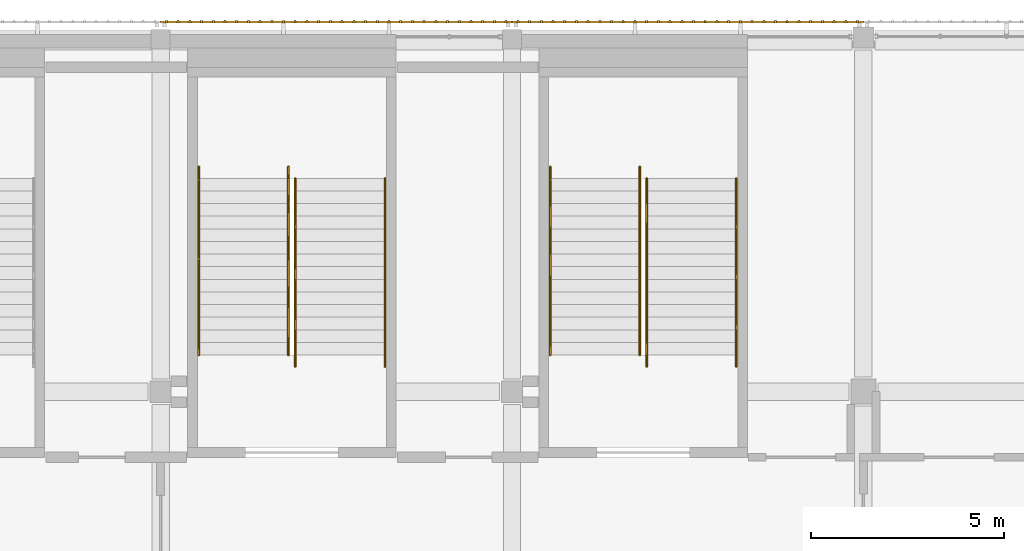
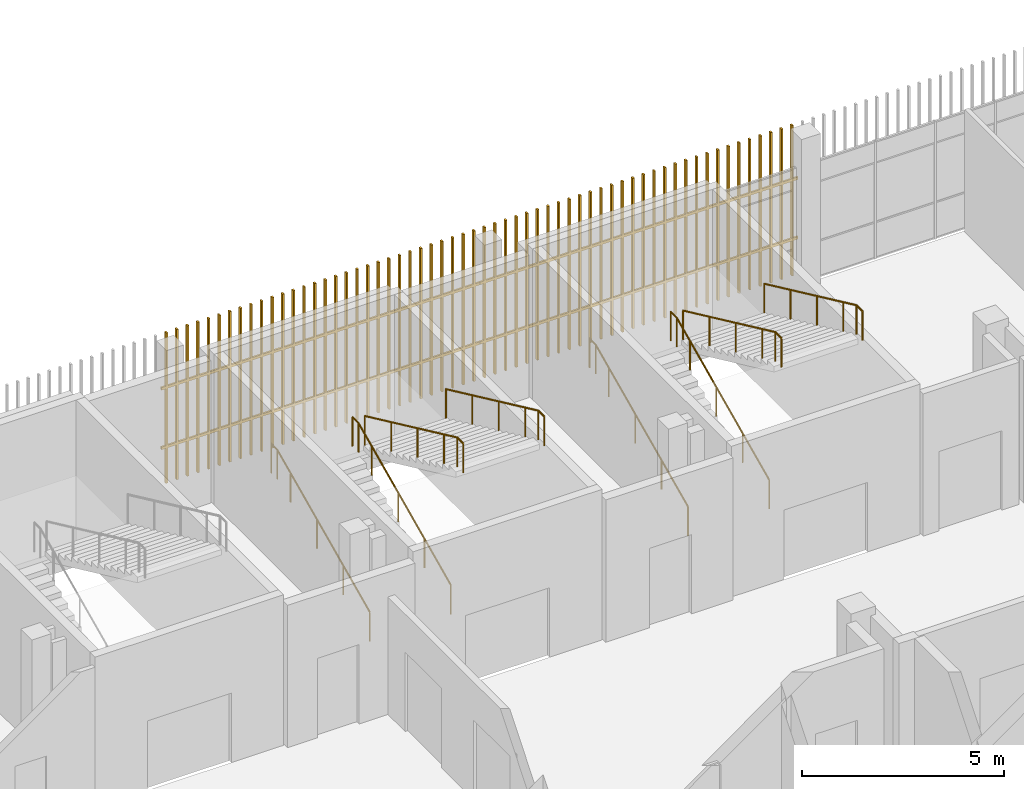
# One storey, part 125 of 139: 8 railings, 2 shading devices.
"""IFC4 building model written with IfcOpenShell, lengths in metres."""

import ifcopenshell
import ifcopenshell.guid

model = None  # the IFC model being written
_history = None  # IfcOwnerHistory: only IFC2X3 demands one
_inside = {}  # id of a spatial element -> (the spatial element, [elements in it])
_under = {}  # id of a project, library or spatial element -> (it, [spatial elements below it])
_declared = {}  # id of a project -> (the project, [libraries it declares])
_typed = {}  # id of a type object -> (the type object, [elements of that type])
_made_of = {}  # id of a material, layer set ... -> (it, [elements and type objects made of it])


def new_model(schema):
    """Start an empty IFC model of exactly this schema.

    Asked for "IFC4X3", IfcOpenShell would pick the latest addendum, in which some entities
    have other attributes; the version numbers below select the first issue.
    IFC2X3 requires an IfcOwnerHistory on every rooted entity: one is made here for all.
    """
    global model, _history
    if schema == "IFC4X3":
        model = ifcopenshell.file(schema_version=(4, 3, 0, 0))
    else:
        model = ifcopenshell.file(schema=schema)
    _inside.clear()
    _under.clear()
    _declared.clear()
    _typed.clear()
    _made_of.clear()
    _history = None
    if model.schema == "IFC2X3":
        org = make("IfcOrganization", Name="unknown")
        user = make(
            "IfcPersonAndOrganization",
            ThePerson=make("IfcPerson", FamilyName="unknown"),
            TheOrganization=org,
        )
        app = make(
            "IfcApplication",
            ApplicationDeveloper=org,
            Version="unknown",
            ApplicationFullName="unknown",
            ApplicationIdentifier="unknown",
        )
        _history = make(
            "IfcOwnerHistory",
            OwningUser=user,
            OwningApplication=app,
            ChangeAction="ADDED",
            CreationDate=0,
        )
    return model


def make(cls, **values):
    """One entity of the class cls with the attributes given. An attribute that is None is left unset."""
    return model.create_entity(
        cls, **{name: value for name, value in values.items() if value is not None}
    )


def rooted(cls, **values):
    """An entity with a GlobalId (a new one), such as an element, a storey or a relation."""
    return make(cls, GlobalId=ifcopenshell.guid.new(), OwnerHistory=_history, **values)


def si_unit(unit_type, name, prefix=None):
    """IfcSIUnit, for example si_unit("LENGTHUNIT", "METRE", prefix="MILLI")."""
    return make("IfcSIUnit", UnitType=unit_type, Prefix=prefix, Name=name)


def assignment(units):
    """IfcUnitAssignment: the units of a project."""
    return None if units is None else make("IfcUnitAssignment", Units=units)


def point(xyz):
    """IfcCartesianPoint."""
    return None if xyz is None else make("IfcCartesianPoint", Coordinates=xyz)


def direction(xyz):
    """IfcDirection."""
    return None if xyz is None else make("IfcDirection", DirectionRatios=xyz)


def frame(location, z_axis=None, x_axis=None):
    """IfcAxis2Placement3D, a coordinate frame: its origin and axes. An axis left out is left unset."""
    return make(
        "IfcAxis2Placement3D",
        Location=point(location),
        Axis=direction(z_axis),
        RefDirection=direction(x_axis),
    )


def frame_2d(location, x_axis=None):
    """IfcAxis2Placement2D, a coordinate frame in the plane: its origin and x axis."""
    return make(
        "IfcAxis2Placement2D", Location=point(location), RefDirection=direction(x_axis)
    )


def origin():
    """The frame at (0, 0, 0) with its axes left unset."""
    return frame((0.0, 0.0, 0.0))


def origin_2d():
    """The frame at (0, 0) in the plane with its x axis left unset."""
    return frame_2d((0.0, 0.0))


def place(relative_to, where):
    """IfcLocalPlacement: puts the frame where relative to a parent placement (None: the world)."""
    return make(
        "IfcLocalPlacement", PlacementRelTo=relative_to, RelativePlacement=where
    )


def context(
    kind, dimensions, precision=None, world=None, true_north=None, identifier=None
):
    """IfcGeometricRepresentationContext, for example the 3D "Model" context."""
    return make(
        "IfcGeometricRepresentationContext",
        ContextIdentifier=identifier,
        ContextType=kind,
        CoordinateSpaceDimension=dimensions,
        Precision=precision,
        WorldCoordinateSystem=world,
        TrueNorth=true_north,
    )


def subcontext(parent, identifier, kind, view, scale=None):
    """IfcGeometricRepresentationSubContext, for example "Body" below "Model"."""
    return make(
        "IfcGeometricRepresentationSubContext",
        ContextIdentifier=identifier,
        ContextType=kind,
        ParentContext=parent,
        TargetScale=scale,
        TargetView=view,
    )


def project(units=None, contexts=None):
    """IfcProject with its units and contexts."""
    return rooted(
        "IfcProject",
        Name="project",
        RepresentationContexts=contexts,
        UnitsInContext=assignment(units),
    )


def spatial(cls, under=None, at=None, **own):
    """A site, building, storey or space (cls), placed at a placement, below another one or the project."""
    s = rooted(cls, ObjectPlacement=at, **own)
    if under is not None:
        _under.setdefault(under.id(), (under, []))[1].append(s)
    return s


def profile(cls, at=None, kind="AREA", **sizes):
    """A parametric profile (cls). Its sizes go by their IFC names, for example OverallWidth=200.0."""
    return make(cls, ProfileType=kind, Position=at, **sizes)


def rectangle(**sizes):
    """IfcRectangleProfileDef."""
    return profile("IfcRectangleProfileDef", **sizes)


def circle(**sizes):
    """IfcCircleProfileDef."""
    return profile("IfcCircleProfileDef", **sizes)


def extrude(swept, where, along, depth):
    """IfcExtrudedAreaSolid: the profile swept, set in the frame where, extruded along a direction by depth."""
    return make(
        "IfcExtrudedAreaSolid",
        SweptArea=swept,
        Position=where,
        ExtrudedDirection=direction(along),
        Depth=depth,
    )


def shape(context_of_items, identifier, shape_type, items):
    """IfcShapeRepresentation: the items that make up one representation, for example the "Body"."""
    return make(
        "IfcShapeRepresentation",
        ContextOfItems=context_of_items,
        RepresentationIdentifier=identifier,
        RepresentationType=shape_type,
        Items=items,
    )


def material(Name=None, Category=None):
    """IfcMaterial."""
    return make("IfcMaterial", Name=Name, Category=Category)


def made_of(thing, what):
    """Note that an element or type object is made of a material, layer set ...; save() writes the relation."""
    if what is not None:
        _made_of.setdefault(what.id(), (what, []))[1].append(thing)
    return thing


def type_object(cls, material=None, **own):
    """A type object (cls), such as IfcWallType, which elements share."""
    return made_of(rooted(cls, **own), material)


def element(
    cls,
    number,
    at=None,
    inside=None,
    cuts=None,
    type_object=None,
    material=None,
    context=None,
    identifier="Body",
    shape_type=None,
    held_by="IfcProductDefinitionShape",
    body=None,
    shapes=None,
    **own,
):
    """One element of the class cls, such as IfcWall. Its Tag is "e" and its number.

    at: its placement. inside: the storey or other place that contains it. cuts: it is an
    opening in that element (IfcRelVoidsElement). A single representation is given by context,
    identifier, shape_type and body (its items); several are given by shapes. held_by: the class
    of the entity that holds the representations. save() writes the other relations.
    """
    e = rooted(cls, Tag="e%d" % number, ObjectPlacement=at, **own)
    if body is not None:
        shapes = [shape(context, identifier, shape_type, body)]
    if shapes is not None:
        e.Representation = make(held_by, Representations=shapes)
    if inside is not None:
        _inside.setdefault(inside.id(), (inside, []))[1].append(e)
    if cuts is not None:
        rooted(
            "IfcRelVoidsElement", RelatingBuildingElement=cuts, RelatedOpeningElement=e
        )
    if type_object is not None:
        _typed.setdefault(type_object.id(), (type_object, []))[1].append(e)
    return made_of(e, material)


def aggregate(whole, parts):
    """IfcRelAggregates: a whole, such as a stair, and the parts it consists of."""
    return rooted("IfcRelAggregates", RelatingObject=whole, RelatedObjects=parts)


def save(model, path):
    """Write the relations noted so far, then the file.

    IfcRelAggregates (storeys below a building ...), IfcRelContainedInSpatialStructure (elements
    in a storey), IfcRelDefinesByType, IfcRelAssociatesMaterial and IfcRelDeclares: one each for
    every whole, place, type object, material and project.
    """
    for whole, parts in _under.values():
        aggregate(whole, parts)
    for where, things in _inside.values():
        rooted(
            "IfcRelContainedInSpatialStructure",
            RelatedElements=things,
            RelatingStructure=where,
        )
    for kind, things in _typed.values():
        rooted("IfcRelDefinesByType", RelatedObjects=things, RelatingType=kind)
    for what, things in _made_of.values():
        rooted("IfcRelAssociatesMaterial", RelatedObjects=things, RelatingMaterial=what)
    for by, libraries in _declared.values():
        rooted("IfcRelDeclares", RelatingContext=by, RelatedDefinitions=libraries)
    model.write(path)


model = new_model("IFC4")

# Units and contexts
model_context = context("Model", 3, precision=1e-05, world=origin(), true_north=direction((0.0, 1.0)))
body_context = subcontext(model_context, "Body", "Model", "MODEL_VIEW")
ifc_project = project(units=[si_unit("LENGTHUNIT", "METRE"), si_unit("AREAUNIT", "SQUARE_METRE"), si_unit("VOLUMEUNIT", "CUBIC_METRE"), si_unit("PLANEANGLEUNIT", "RADIAN"), si_unit("MASSUNIT", "GRAM", prefix="KILO")], contexts=[model_context])

# Site, building, storey
site_placement = place(None, origin())
site = spatial("IfcSite", under=ifc_project, at=site_placement, CompositionType="ELEMENT")
building_placement = place(site_placement, origin())
building = spatial("IfcBuilding", under=site, at=building_placement, Name="Shirokan Park Arena", CompositionType="ELEMENT")
storey_placement = place(building_placement, frame((0.0, 0.0, 15.469970703125)))
storey = spatial("IfcBuildingStorey", under=building, at=storey_placement, Name="L03", CompositionType="ELEMENT", Elevation=15.469970703125)

# Railings
ifc_material_1 = material(Name="Stainless steel", Category="steel")
railing_type = type_object("IfcRailingType", Name="Stair handrail 900", PredefinedType="HANDRAIL", material=ifc_material_1)
railing_1_placement = place(storey_placement, frame((19.18994140625, 101.050048828125, 0.151611328125)))
element("IfcRailing", 1, at=railing_1_placement, inside=storey, type_object=railing_type, Name="Handrail Exit Stair 4.C L03 to L04", PredefinedType="HANDRAIL", context=body_context, shape_type="SweptSolid", body=[
    extrude(circle(Radius=0.02392578125, at=origin_2d()), frame((0.0, 0.0, 0.8759765625), z_axis=(0.0, 0.906999720516, 0.421131222998), x_axis=(-1.0, 0.0, 0.0)), (0.0, 0.0, 1.0), 1.440673828125),
    extrude(circle(Radius=0.02392578125, at=origin_2d()), frame((0.0, 1.306640625, 1.482421875), z_axis=(0.0, 0.907029769225, 0.421066500378), x_axis=(-1.0, 0.0, 0.0)), (0.0, 0.0, 1.0), 1.44091796875),
    extrude(circle(Radius=0.02392578125, at=origin_2d()), frame((0.0, 2.613525390625, 2.08935546875), z_axis=(0.0, 0.907029769225, 0.421066500378), x_axis=(-1.0, 0.0, 0.0)), (0.0, 0.0, 1.0), 1.44091796875),
    extrude(circle(Radius=0.02392578125, at=origin_2d()), frame((0.0, 3.92041015625, 2.69580078125), z_axis=(0.0, 0.906934982928, 0.421270621741), x_axis=(-1.0, 0.0, 0.0)), (0.0, 0.0, 1.0), 0.720458984375),
    extrude(circle(Radius=0.02392578125, at=origin_2d()), frame((0.0, 4.57373046875, 2.99951171875), z_axis=(0.0, 1.0, 0.0), x_axis=(-1.0, 0.0, 0.0)), (0.0, 0.0, 1.0), 0.300048828125),
    extrude(circle(Radius=0.02099609375, at=origin_2d()), origin(), (0.0, 0.0, 1.0), 0.851806640625),
    extrude(circle(Radius=0.02099609375, at=origin_2d()), frame((0.0, 1.306640625, 0.606689453125)), (0.0, 0.0, 1.0), 0.851806640625),
    extrude(circle(Radius=0.02099609375, at=origin_2d()), frame((0.0, 2.613525390625, 1.21337890625)), (0.0, 0.0, 1.0), 0.851806640625),
    extrude(circle(Radius=0.02099609375, at=origin_2d()), frame((0.0, 3.92041015625, 1.820068359375)), (0.0, 0.0, 1.0), 0.851806640625),
    extrude(circle(Radius=0.02099609375, at=origin_2d()), frame((0.0, 4.57373046875, 2.12353515625)), (0.0, 0.0, 1.0), 0.851806640625),
    extrude(circle(Radius=0.02099609375, at=origin_2d()), frame((0.0, 4.873779296875, 2.12353515625)), (0.0, 0.0, 1.0), 0.851806640625),
])
railing_2_placement = place(storey_placement, frame((21.510009765625, 101.050048828125, 0.151611328125)))
element("IfcRailing", 2, at=railing_2_placement, inside=storey, type_object=railing_type, Name="Handrail Exit Stair 4.C L03 to L04", PredefinedType="HANDRAIL", context=body_context, shape_type="SweptSolid", body=[
    extrude(circle(Radius=0.02392578125, at=origin_2d()), frame((0.0, 0.0, 0.8759765625), z_axis=(0.0, 0.906999720516, 0.421131222998), x_axis=(-1.0, 0.0, 0.0)), (0.0, 0.0, 1.0), 1.440673828125),
    extrude(circle(Radius=0.02392578125, at=origin_2d()), frame((0.0, 1.306640625, 1.482421875), z_axis=(0.0, 0.907029769225, 0.421066500378), x_axis=(-1.0, 0.0, 0.0)), (0.0, 0.0, 1.0), 1.44091796875),
    extrude(circle(Radius=0.02392578125, at=origin_2d()), frame((0.0, 2.613525390625, 2.08935546875), z_axis=(0.0, 0.907029769225, 0.421066500378), x_axis=(-1.0, 0.0, 0.0)), (0.0, 0.0, 1.0), 1.44091796875),
    extrude(circle(Radius=0.02392578125, at=origin_2d()), frame((0.0, 3.92041015625, 2.69580078125), z_axis=(0.0, 0.906934982928, 0.421270621741), x_axis=(-1.0, 0.0, 0.0)), (0.0, 0.0, 1.0), 0.720458984375),
    extrude(circle(Radius=0.02392578125, at=origin_2d()), frame((0.0, 4.57373046875, 2.99951171875), z_axis=(0.0, 1.0, 0.0), x_axis=(-1.0, 0.0, 0.0)), (0.0, 0.0, 1.0), 0.300048828125),
    extrude(circle(Radius=0.02099609375, at=origin_2d()), origin(), (0.0, 0.0, 1.0), 0.851806640625),
    extrude(circle(Radius=0.02099609375, at=origin_2d()), frame((0.0, 1.306640625, 0.606689453125)), (0.0, 0.0, 1.0), 0.851806640625),
    extrude(circle(Radius=0.02099609375, at=origin_2d()), frame((0.0, 2.613525390625, 1.21337890625)), (0.0, 0.0, 1.0), 0.851806640625),
    extrude(circle(Radius=0.02099609375, at=origin_2d()), frame((0.0, 3.92041015625, 1.820068359375)), (0.0, 0.0, 1.0), 0.851806640625),
    extrude(circle(Radius=0.02099609375, at=origin_2d()), frame((0.0, 4.57373046875, 2.12353515625)), (0.0, 0.0, 1.0), 0.851806640625),
    extrude(circle(Radius=0.02099609375, at=origin_2d()), frame((0.0, 4.873779296875, 2.12353515625)), (0.0, 0.0, 1.0), 0.851806640625),
])
railing_3_placement = place(storey_placement, frame((21.68994140625, 105.623779296875, 2.4267578125)))
element("IfcRailing", 3, at=railing_3_placement, inside=storey, type_object=railing_type, Name="Handrail Exit Stair 4.C L03 to L04", PredefinedType="HANDRAIL", context=body_context, shape_type="SweptSolid", body=[
    extrude(circle(Radius=0.02392578125, at=origin_2d()), frame((0.0, 0.0, 0.8759765625), z_axis=(0.0, -0.907029769225, 0.421066500378), x_axis=(1.0, 0.0, 0.0)), (0.0, 0.0, 1.0), 1.44091796875),
    extrude(circle(Radius=0.02392578125, at=origin_2d()), frame((0.0, -1.306884765625, 1.482421875), z_axis=(0.0, -0.906999720516, 0.421131222998), x_axis=(1.0, 0.0, 0.0)), (0.0, 0.0, 1.0), 1.440673828125),
    extrude(circle(Radius=0.02392578125, at=origin_2d()), frame((0.0, -2.613525390625, 2.08935546875), z_axis=(0.0, -0.907094476872, 0.420927083981), x_axis=(1.0, 0.0, 0.0)), (0.0, 0.0, 1.0), 1.440673828125),
    extrude(circle(Radius=0.02392578125, at=origin_2d()), frame((0.0, -3.92041015625, 2.69580078125), z_axis=(0.0, -0.906934982928, 0.421270621741), x_axis=(1.0, 0.0, 0.0)), (0.0, 0.0, 1.0), 0.720458984375),
    extrude(circle(Radius=0.02392578125, at=origin_2d()), frame((0.0, -4.57373046875, 2.9990234375), z_axis=(0.0, -1.0, 0.0), x_axis=(1.0, 0.0, 0.0)), (0.0, 0.0, 1.0), 0.300048828125),
    extrude(circle(Radius=0.02099609375, at=origin_2d()), origin(), (0.0, 0.0, 1.0), 0.851806640625),
    extrude(circle(Radius=0.02099609375, at=origin_2d()), frame((0.0, -1.306884765625, 0.606689453125)), (0.0, 0.0, 1.0), 0.851806640625),
    extrude(circle(Radius=0.02099609375, at=origin_2d()), frame((0.0, -2.613525390625, 1.21337890625)), (0.0, 0.0, 1.0), 0.851806640625),
    extrude(circle(Radius=0.02099609375, at=origin_2d()), frame((0.0, -3.92041015625, 1.81982421875)), (0.0, 0.0, 1.0), 0.851806640625),
    extrude(circle(Radius=0.02099609375, at=origin_2d()), frame((0.0, -4.57373046875, 2.123291015625)), (0.0, 0.0, 1.0), 0.851806640625),
    extrude(circle(Radius=0.02099609375, at=origin_2d()), frame((0.0, -4.873779296875, 2.123291015625)), (0.0, 0.0, 1.0), 0.851806640625),
])
railing_4_placement = place(storey_placement, frame((24.010009765625, 105.623779296875, 2.4267578125)))
element("IfcRailing", 4, at=railing_4_placement, inside=storey, type_object=railing_type, Name="Handrail Exit Stair 4.C L03 to L04", PredefinedType="HANDRAIL", context=body_context, shape_type="SweptSolid", body=[
    extrude(circle(Radius=0.02392578125, at=origin_2d()), frame((0.0, 0.0, 0.8759765625), z_axis=(0.0, -0.907029769225, 0.421066500378), x_axis=(1.0, 0.0, 0.0)), (0.0, 0.0, 1.0), 1.44091796875),
    extrude(circle(Radius=0.02392578125, at=origin_2d()), frame((0.0, -1.306884765625, 1.482421875), z_axis=(0.0, -0.906999720516, 0.421131222998), x_axis=(1.0, 0.0, 0.0)), (0.0, 0.0, 1.0), 1.440673828125),
    extrude(circle(Radius=0.02392578125, at=origin_2d()), frame((0.0, -2.613525390625, 2.08935546875), z_axis=(0.0, -0.907094476872, 0.420927083981), x_axis=(1.0, 0.0, 0.0)), (0.0, 0.0, 1.0), 1.440673828125),
    extrude(circle(Radius=0.02392578125, at=origin_2d()), frame((0.0, -3.92041015625, 2.69580078125), z_axis=(0.0, -0.906934982928, 0.421270621741), x_axis=(1.0, 0.0, 0.0)), (0.0, 0.0, 1.0), 0.720458984375),
    extrude(circle(Radius=0.02392578125, at=origin_2d()), frame((0.0, -4.57373046875, 2.9990234375), z_axis=(0.0, -1.0, 0.0), x_axis=(1.0, 0.0, 0.0)), (0.0, 0.0, 1.0), 0.300048828125),
    extrude(circle(Radius=0.02099609375, at=origin_2d()), origin(), (0.0, 0.0, 1.0), 0.851806640625),
    extrude(circle(Radius=0.02099609375, at=origin_2d()), frame((0.0, -1.306884765625, 0.606689453125)), (0.0, 0.0, 1.0), 0.851806640625),
    extrude(circle(Radius=0.02099609375, at=origin_2d()), frame((0.0, -2.613525390625, 1.21337890625)), (0.0, 0.0, 1.0), 0.851806640625),
    extrude(circle(Radius=0.02099609375, at=origin_2d()), frame((0.0, -3.92041015625, 1.81982421875)), (0.0, 0.0, 1.0), 0.851806640625),
    extrude(circle(Radius=0.02099609375, at=origin_2d()), frame((0.0, -4.57373046875, 2.123291015625)), (0.0, 0.0, 1.0), 0.851806640625),
    extrude(circle(Radius=0.02099609375, at=origin_2d()), frame((0.0, -4.873779296875, 2.123291015625)), (0.0, 0.0, 1.0), 0.851806640625),
])
railing_5_placement = place(storey_placement, frame((28.2900390625, 101.050048828125, 0.151611328125)))
element("IfcRailing", 5, at=railing_5_placement, inside=storey, type_object=railing_type, Name="Handrail Exit Stair 4.D L03 to L04", PredefinedType="HANDRAIL", context=body_context, shape_type="SweptSolid", body=[
    extrude(circle(Radius=0.02392578125, at=origin_2d()), frame((0.0, 0.0, 0.8759765625), z_axis=(0.0, 0.906999720516, 0.421131222998), x_axis=(-1.0, 0.0, 0.0)), (0.0, 0.0, 1.0), 1.440673828125),
    extrude(circle(Radius=0.02392578125, at=origin_2d()), frame((0.0, 1.306640625, 1.482421875), z_axis=(0.0, 0.907029769225, 0.421066500378), x_axis=(-1.0, 0.0, 0.0)), (0.0, 0.0, 1.0), 1.44091796875),
    extrude(circle(Radius=0.02392578125, at=origin_2d()), frame((0.0, 2.613525390625, 2.08935546875), z_axis=(0.0, 0.907029769225, 0.421066500378), x_axis=(-1.0, 0.0, 0.0)), (0.0, 0.0, 1.0), 1.44091796875),
    extrude(circle(Radius=0.02392578125, at=origin_2d()), frame((0.0, 3.92041015625, 2.69580078125), z_axis=(0.0, 0.906934982928, 0.421270621741), x_axis=(-1.0, 0.0, 0.0)), (0.0, 0.0, 1.0), 0.720458984375),
    extrude(circle(Radius=0.02392578125, at=origin_2d()), frame((0.0, 4.57373046875, 2.99951171875), z_axis=(0.0, 1.0, 0.0), x_axis=(-1.0, 0.0, 0.0)), (0.0, 0.0, 1.0), 0.300048828125),
    extrude(circle(Radius=0.02099609375, at=origin_2d()), origin(), (0.0, 0.0, 1.0), 0.851806640625),
    extrude(circle(Radius=0.02099609375, at=origin_2d()), frame((0.0, 1.306640625, 0.606689453125)), (0.0, 0.0, 1.0), 0.851806640625),
    extrude(circle(Radius=0.02099609375, at=origin_2d()), frame((0.0, 2.613525390625, 1.21337890625)), (0.0, 0.0, 1.0), 0.851806640625),
    extrude(circle(Radius=0.02099609375, at=origin_2d()), frame((0.0, 3.92041015625, 1.820068359375)), (0.0, 0.0, 1.0), 0.851806640625),
    extrude(circle(Radius=0.02099609375, at=origin_2d()), frame((0.0, 4.57373046875, 2.12353515625)), (0.0, 0.0, 1.0), 0.851806640625),
    extrude(circle(Radius=0.02099609375, at=origin_2d()), frame((0.0, 4.873779296875, 2.12353515625)), (0.0, 0.0, 1.0), 0.851806640625),
])
railing_6_placement = place(storey_placement, frame((30.610107421875, 101.050048828125, 0.151611328125)))
element("IfcRailing", 6, at=railing_6_placement, inside=storey, type_object=railing_type, Name="Handrail Exit Stair 4.D L03 to L04", PredefinedType="HANDRAIL", context=body_context, shape_type="SweptSolid", body=[
    extrude(circle(Radius=0.02392578125, at=origin_2d()), frame((0.0, 0.0, 0.8759765625), z_axis=(0.0, 0.906999720516, 0.421131222998), x_axis=(-1.0, 0.0, 0.0)), (0.0, 0.0, 1.0), 1.440673828125),
    extrude(circle(Radius=0.02392578125, at=origin_2d()), frame((0.0, 1.306640625, 1.482421875), z_axis=(0.0, 0.907029769225, 0.421066500378), x_axis=(-1.0, 0.0, 0.0)), (0.0, 0.0, 1.0), 1.44091796875),
    extrude(circle(Radius=0.02392578125, at=origin_2d()), frame((0.0, 2.613525390625, 2.08935546875), z_axis=(0.0, 0.907029769225, 0.421066500378), x_axis=(-1.0, 0.0, 0.0)), (0.0, 0.0, 1.0), 1.44091796875),
    extrude(circle(Radius=0.02392578125, at=origin_2d()), frame((0.0, 3.92041015625, 2.69580078125), z_axis=(0.0, 0.906934982928, 0.421270621741), x_axis=(-1.0, 0.0, 0.0)), (0.0, 0.0, 1.0), 0.720458984375),
    extrude(circle(Radius=0.02392578125, at=origin_2d()), frame((0.0, 4.57373046875, 2.99951171875), z_axis=(0.0, 1.0, 0.0), x_axis=(-1.0, 0.0, 0.0)), (0.0, 0.0, 1.0), 0.300048828125),
    extrude(circle(Radius=0.02099609375, at=origin_2d()), origin(), (0.0, 0.0, 1.0), 0.851806640625),
    extrude(circle(Radius=0.02099609375, at=origin_2d()), frame((0.0, 1.306640625, 0.606689453125)), (0.0, 0.0, 1.0), 0.851806640625),
    extrude(circle(Radius=0.02099609375, at=origin_2d()), frame((0.0, 2.613525390625, 1.21337890625)), (0.0, 0.0, 1.0), 0.851806640625),
    extrude(circle(Radius=0.02099609375, at=origin_2d()), frame((0.0, 3.92041015625, 1.820068359375)), (0.0, 0.0, 1.0), 0.851806640625),
    extrude(circle(Radius=0.02099609375, at=origin_2d()), frame((0.0, 4.57373046875, 2.12353515625)), (0.0, 0.0, 1.0), 0.851806640625),
    extrude(circle(Radius=0.02099609375, at=origin_2d()), frame((0.0, 4.873779296875, 2.12353515625)), (0.0, 0.0, 1.0), 0.851806640625),
])
railing_7_placement = place(storey_placement, frame((30.7900390625, 105.623779296875, 2.4267578125)))
element("IfcRailing", 7, at=railing_7_placement, inside=storey, type_object=railing_type, Name="Handrail Exit Stair 4.D L03 to L04", PredefinedType="HANDRAIL", context=body_context, shape_type="SweptSolid", body=[
    extrude(circle(Radius=0.02392578125, at=origin_2d()), frame((0.0, 0.0, 0.8759765625), z_axis=(0.0, -0.907029769225, 0.421066500378), x_axis=(1.0, 0.0, 0.0)), (0.0, 0.0, 1.0), 1.44091796875),
    extrude(circle(Radius=0.02392578125, at=origin_2d()), frame((0.0, -1.306884765625, 1.482421875), z_axis=(0.0, -0.906999720516, 0.421131222998), x_axis=(1.0, 0.0, 0.0)), (0.0, 0.0, 1.0), 1.440673828125),
    extrude(circle(Radius=0.02392578125, at=origin_2d()), frame((0.0, -2.613525390625, 2.08935546875), z_axis=(0.0, -0.907094476872, 0.420927083981), x_axis=(1.0, 0.0, 0.0)), (0.0, 0.0, 1.0), 1.440673828125),
    extrude(circle(Radius=0.02392578125, at=origin_2d()), frame((0.0, -3.92041015625, 2.69580078125), z_axis=(0.0, -0.906934982928, 0.421270621741), x_axis=(1.0, 0.0, 0.0)), (0.0, 0.0, 1.0), 0.720458984375),
    extrude(circle(Radius=0.02392578125, at=origin_2d()), frame((0.0, -4.57373046875, 2.9990234375), z_axis=(0.0, -1.0, 0.0), x_axis=(1.0, 0.0, 0.0)), (0.0, 0.0, 1.0), 0.300048828125),
    extrude(circle(Radius=0.02099609375, at=origin_2d()), origin(), (0.0, 0.0, 1.0), 0.851806640625),
    extrude(circle(Radius=0.02099609375, at=origin_2d()), frame((0.0, -1.306884765625, 0.606689453125)), (0.0, 0.0, 1.0), 0.851806640625),
    extrude(circle(Radius=0.02099609375, at=origin_2d()), frame((0.0, -2.613525390625, 1.21337890625)), (0.0, 0.0, 1.0), 0.851806640625),
    extrude(circle(Radius=0.02099609375, at=origin_2d()), frame((0.0, -3.92041015625, 1.81982421875)), (0.0, 0.0, 1.0), 0.851806640625),
    extrude(circle(Radius=0.02099609375, at=origin_2d()), frame((0.0, -4.57373046875, 2.123291015625)), (0.0, 0.0, 1.0), 0.851806640625),
    extrude(circle(Radius=0.02099609375, at=origin_2d()), frame((0.0, -4.873779296875, 2.123291015625)), (0.0, 0.0, 1.0), 0.851806640625),
])
railing_8_placement = place(storey_placement, frame((33.110107421875, 105.623779296875, 2.4267578125)))
element("IfcRailing", 8, at=railing_8_placement, inside=storey, type_object=railing_type, Name="Handrail Exit Stair 4.D L03 to L04", PredefinedType="HANDRAIL", context=body_context, shape_type="SweptSolid", body=[
    extrude(circle(Radius=0.02392578125, at=origin_2d()), frame((0.0, 0.0, 0.8759765625), z_axis=(0.0, -0.907029769225, 0.421066500378), x_axis=(1.0, 0.0, 0.0)), (0.0, 0.0, 1.0), 1.44091796875),
    extrude(circle(Radius=0.02392578125, at=origin_2d()), frame((0.0, -1.306884765625, 1.482421875), z_axis=(0.0, -0.906999720516, 0.421131222998), x_axis=(1.0, 0.0, 0.0)), (0.0, 0.0, 1.0), 1.440673828125),
    extrude(circle(Radius=0.02392578125, at=origin_2d()), frame((0.0, -2.613525390625, 2.08935546875), z_axis=(0.0, -0.907094476872, 0.420927083981), x_axis=(1.0, 0.0, 0.0)), (0.0, 0.0, 1.0), 1.440673828125),
    extrude(circle(Radius=0.02392578125, at=origin_2d()), frame((0.0, -3.92041015625, 2.69580078125), z_axis=(0.0, -0.906934982928, 0.421270621741), x_axis=(1.0, 0.0, 0.0)), (0.0, 0.0, 1.0), 0.720458984375),
    extrude(circle(Radius=0.02392578125, at=origin_2d()), frame((0.0, -4.57373046875, 2.9990234375), z_axis=(0.0, -1.0, 0.0), x_axis=(1.0, 0.0, 0.0)), (0.0, 0.0, 1.0), 0.300048828125),
    extrude(circle(Radius=0.02099609375, at=origin_2d()), origin(), (0.0, 0.0, 1.0), 0.851806640625),
    extrude(circle(Radius=0.02099609375, at=origin_2d()), frame((0.0, -1.306884765625, 0.606689453125)), (0.0, 0.0, 1.0), 0.851806640625),
    extrude(circle(Radius=0.02099609375, at=origin_2d()), frame((0.0, -2.613525390625, 1.21337890625)), (0.0, 0.0, 1.0), 0.851806640625),
    extrude(circle(Radius=0.02099609375, at=origin_2d()), frame((0.0, -3.92041015625, 1.81982421875)), (0.0, 0.0, 1.0), 0.851806640625),
    extrude(circle(Radius=0.02099609375, at=origin_2d()), frame((0.0, -4.57373046875, 2.123291015625)), (0.0, 0.0, 1.0), 0.851806640625),
    extrude(circle(Radius=0.02099609375, at=origin_2d()), frame((0.0, -4.873779296875, 2.123291015625)), (0.0, 0.0, 1.0), 0.851806640625),
])

# Shading devices
ifc_material_2 = material(Name="Timber louvre veil (cedar)", Category="wood")
shading_device_type = type_object("IfcShadingDeviceType", Name="Timber louvre veil panel", PredefinedType="JALOUSIE", material=ifc_material_2)
shading_device_1_placement = place(storey_placement, origin())
element("IfcShadingDevice", 9, at=shading_device_1_placement, inside=storey, type_object=shading_device_type, Name="Timber louvre veil north bay 13 L03", PredefinedType="JALOUSIE", context=body_context, shape_type="SweptSolid", body=[
    extrude(rectangle(XDim=0.050048828125, YDim=0.080078125, at=origin_2d()), frame((36.248291015625, 109.68505859375, 0.0), z_axis=(0.0, 0.0, 1.0), x_axis=(-1.0, 0.0, 0.0)), (0.0, 0.0, 1.0), 4.550048828125),
    extrude(rectangle(XDim=0.050048828125, YDim=0.080078125, at=origin_2d()), frame((35.945068359375, 109.68505859375, 0.0), z_axis=(0.0, 0.0, 1.0), x_axis=(-1.0, 0.0, 0.0)), (0.0, 0.0, 1.0), 4.550048828125),
    extrude(rectangle(XDim=0.050048828125, YDim=0.080078125, at=origin_2d()), frame((35.6416015625, 109.68505859375, 0.0), z_axis=(0.0, 0.0, 1.0), x_axis=(-1.0, 0.0, 0.0)), (0.0, 0.0, 1.0), 4.550048828125),
    extrude(rectangle(XDim=0.050048828125, YDim=0.080078125, at=origin_2d()), frame((35.33837890625, 109.68505859375, 0.0), z_axis=(0.0, 0.0, 1.0), x_axis=(-1.0, 0.0, 0.0)), (0.0, 0.0, 1.0), 4.550048828125),
    extrude(rectangle(XDim=0.050048828125, YDim=0.080078125, at=origin_2d()), frame((35.034912109375, 109.68505859375, 0.0), z_axis=(0.0, 0.0, 1.0), x_axis=(-1.0, 0.0, 0.0)), (0.0, 0.0, 1.0), 4.550048828125),
    extrude(rectangle(XDim=0.050048828125, YDim=0.080078125, at=origin_2d()), frame((34.731689453125, 109.68505859375, 0.0), z_axis=(0.0, 0.0, 1.0), x_axis=(-1.0, 0.0, 0.0)), (0.0, 0.0, 1.0), 4.550048828125),
    extrude(rectangle(XDim=0.050048828125, YDim=0.080078125, at=origin_2d()), frame((34.42822265625, 109.68505859375, 0.0), z_axis=(0.0, 0.0, 1.0), x_axis=(-1.0, 0.0, 0.0)), (0.0, 0.0, 1.0), 4.550048828125),
    extrude(rectangle(XDim=0.050048828125, YDim=0.080078125, at=origin_2d()), frame((34.125, 109.68505859375, 0.0), z_axis=(0.0, 0.0, 1.0), x_axis=(-1.0, 0.0, 0.0)), (0.0, 0.0, 1.0), 4.550048828125),
    extrude(rectangle(XDim=0.050048828125, YDim=0.080078125, at=origin_2d()), frame((33.82177734375, 109.68505859375, 0.0), z_axis=(0.0, 0.0, 1.0), x_axis=(-1.0, 0.0, 0.0)), (0.0, 0.0, 1.0), 4.550048828125),
    extrude(rectangle(XDim=0.050048828125, YDim=0.080078125, at=origin_2d()), frame((33.518310546875, 109.68505859375, 0.0), z_axis=(0.0, 0.0, 1.0), x_axis=(-1.0, 0.0, 0.0)), (0.0, 0.0, 1.0), 4.550048828125),
    extrude(rectangle(XDim=0.050048828125, YDim=0.080078125, at=origin_2d()), frame((33.215087890625, 109.68505859375, 0.0), z_axis=(0.0, 0.0, 1.0), x_axis=(-1.0, 0.0, 0.0)), (0.0, 0.0, 1.0), 4.550048828125),
    extrude(rectangle(XDim=0.050048828125, YDim=0.080078125, at=origin_2d()), frame((32.91162109375, 109.68505859375, 0.0), z_axis=(0.0, 0.0, 1.0), x_axis=(-1.0, 0.0, 0.0)), (0.0, 0.0, 1.0), 4.550048828125),
    extrude(rectangle(XDim=0.050048828125, YDim=0.080078125, at=origin_2d()), frame((32.6083984375, 109.68505859375, 0.0), z_axis=(0.0, 0.0, 1.0), x_axis=(-1.0, 0.0, 0.0)), (0.0, 0.0, 1.0), 4.550048828125),
    extrude(rectangle(XDim=0.050048828125, YDim=0.080078125, at=origin_2d()), frame((32.304931640625, 109.68505859375, 0.0), z_axis=(0.0, 0.0, 1.0), x_axis=(-1.0, 0.0, 0.0)), (0.0, 0.0, 1.0), 4.550048828125),
    extrude(rectangle(XDim=0.050048828125, YDim=0.080078125, at=origin_2d()), frame((32.001708984375, 109.68505859375, 0.0), z_axis=(0.0, 0.0, 1.0), x_axis=(-1.0, 0.0, 0.0)), (0.0, 0.0, 1.0), 4.550048828125),
    extrude(rectangle(XDim=0.050048828125, YDim=0.080078125, at=origin_2d()), frame((31.6982421875, 109.68505859375, 0.0), z_axis=(0.0, 0.0, 1.0), x_axis=(-1.0, 0.0, 0.0)), (0.0, 0.0, 1.0), 4.550048828125),
    extrude(rectangle(XDim=0.050048828125, YDim=0.080078125, at=origin_2d()), frame((31.39501953125, 109.68505859375, 0.0), z_axis=(0.0, 0.0, 1.0), x_axis=(-1.0, 0.0, 0.0)), (0.0, 0.0, 1.0), 4.550048828125),
    extrude(rectangle(XDim=0.050048828125, YDim=0.080078125, at=origin_2d()), frame((31.091552734375, 109.68505859375, 0.0), z_axis=(0.0, 0.0, 1.0), x_axis=(-1.0, 0.0, 0.0)), (0.0, 0.0, 1.0), 4.550048828125),
    extrude(rectangle(XDim=0.050048828125, YDim=0.080078125, at=origin_2d()), frame((30.788330078125, 109.68505859375, 0.0), z_axis=(0.0, 0.0, 1.0), x_axis=(-1.0, 0.0, 0.0)), (0.0, 0.0, 1.0), 4.550048828125),
    extrude(rectangle(XDim=0.050048828125, YDim=0.080078125, at=origin_2d()), frame((30.485107421875, 109.68505859375, 0.0), z_axis=(0.0, 0.0, 1.0), x_axis=(-1.0, 0.0, 0.0)), (0.0, 0.0, 1.0), 4.550048828125),
    extrude(rectangle(XDim=0.050048828125, YDim=0.080078125, at=origin_2d()), frame((30.181640625, 109.68505859375, 0.0), z_axis=(0.0, 0.0, 1.0), x_axis=(-1.0, 0.0, 0.0)), (0.0, 0.0, 1.0), 4.550048828125),
    extrude(rectangle(XDim=0.050048828125, YDim=0.080078125, at=origin_2d()), frame((29.87841796875, 109.68505859375, 0.0), z_axis=(0.0, 0.0, 1.0), x_axis=(-1.0, 0.0, 0.0)), (0.0, 0.0, 1.0), 4.550048828125),
    extrude(rectangle(XDim=0.050048828125, YDim=0.080078125, at=origin_2d()), frame((29.574951171875, 109.68505859375, 0.0), z_axis=(0.0, 0.0, 1.0), x_axis=(-1.0, 0.0, 0.0)), (0.0, 0.0, 1.0), 4.550048828125),
    extrude(rectangle(XDim=0.050048828125, YDim=0.080078125, at=origin_2d()), frame((29.271728515625, 109.68505859375, 0.0), z_axis=(0.0, 0.0, 1.0), x_axis=(-1.0, 0.0, 0.0)), (0.0, 0.0, 1.0), 4.550048828125),
    extrude(rectangle(XDim=0.050048828125, YDim=0.080078125, at=origin_2d()), frame((28.96826171875, 109.68505859375, 0.0), z_axis=(0.0, 0.0, 1.0), x_axis=(-1.0, 0.0, 0.0)), (0.0, 0.0, 1.0), 4.550048828125),
    extrude(rectangle(XDim=0.050048828125, YDim=0.080078125, at=origin_2d()), frame((28.6650390625, 109.68505859375, 0.0), z_axis=(0.0, 0.0, 1.0), x_axis=(-1.0, 0.0, 0.0)), (0.0, 0.0, 1.0), 4.550048828125),
    extrude(rectangle(XDim=0.050048828125, YDim=0.080078125, at=origin_2d()), frame((28.361572265625, 109.68505859375, 0.0), z_axis=(0.0, 0.0, 1.0), x_axis=(-1.0, 0.0, 0.0)), (0.0, 0.0, 1.0), 4.550048828125),
    extrude(rectangle(XDim=0.050048828125, YDim=0.080078125, at=origin_2d()), frame((28.058349609375, 109.68505859375, 0.0), z_axis=(0.0, 0.0, 1.0), x_axis=(-1.0, 0.0, 0.0)), (0.0, 0.0, 1.0), 4.550048828125),
    extrude(rectangle(XDim=0.050048828125, YDim=0.080078125, at=origin_2d()), frame((27.7548828125, 109.68505859375, 0.0), z_axis=(0.0, 0.0, 1.0), x_axis=(-1.0, 0.0, 0.0)), (0.0, 0.0, 1.0), 4.550048828125),
    extrude(rectangle(XDim=0.050048828125, YDim=0.080078125, at=origin_2d()), frame((27.45166015625, 109.68505859375, 0.0), z_axis=(0.0, 0.0, 1.0), x_axis=(-1.0, 0.0, 0.0)), (0.0, 0.0, 1.0), 4.550048828125),
    extrude(rectangle(XDim=9.10009765625, YDim=0.050048828125, at=origin_2d()), frame((31.85009765625, 109.669921875, 1.06005859375), z_axis=(0.0, 0.0, 1.0), x_axis=(-1.0, 0.0, 0.0)), (0.0, 0.0, 1.0), 0.080078125),
    extrude(rectangle(XDim=9.10009765625, YDim=0.050048828125, at=origin_2d()), frame((31.85009765625, 109.669921875, 2.860107421875), z_axis=(0.0, 0.0, 1.0), x_axis=(-1.0, 0.0, 0.0)), (0.0, 0.0, 1.0), 0.080078125),
])
shading_device_2_placement = place(storey_placement, origin())
element("IfcShadingDevice", 10, at=shading_device_2_placement, inside=storey, type_object=shading_device_type, Name="Timber louvre veil north bay 14 L03", PredefinedType="JALOUSIE", context=body_context, shape_type="SweptSolid", body=[
    extrude(rectangle(XDim=0.050048828125, YDim=0.080078125, at=origin_2d()), frame((27.1484375, 109.68505859375, 0.0), z_axis=(0.0, 0.0, 1.0), x_axis=(-1.0, 0.0, 0.0)), (0.0, 0.0, 1.0), 4.550048828125),
    extrude(rectangle(XDim=0.050048828125, YDim=0.080078125, at=origin_2d()), frame((26.844970703125, 109.68505859375, 0.0), z_axis=(0.0, 0.0, 1.0), x_axis=(-1.0, 0.0, 0.0)), (0.0, 0.0, 1.0), 4.550048828125),
    extrude(rectangle(XDim=0.050048828125, YDim=0.080078125, at=origin_2d()), frame((26.541748046875, 109.68505859375, 0.0), z_axis=(0.0, 0.0, 1.0), x_axis=(-1.0, 0.0, 0.0)), (0.0, 0.0, 1.0), 4.550048828125),
    extrude(rectangle(XDim=0.050048828125, YDim=0.080078125, at=origin_2d()), frame((26.23828125, 109.68505859375, 0.0), z_axis=(0.0, 0.0, 1.0), x_axis=(-1.0, 0.0, 0.0)), (0.0, 0.0, 1.0), 4.550048828125),
    extrude(rectangle(XDim=0.050048828125, YDim=0.080078125, at=origin_2d()), frame((25.93505859375, 109.68505859375, 0.0), z_axis=(0.0, 0.0, 1.0), x_axis=(-1.0, 0.0, 0.0)), (0.0, 0.0, 1.0), 4.550048828125),
    extrude(rectangle(XDim=0.050048828125, YDim=0.080078125, at=origin_2d()), frame((25.631591796875, 109.68505859375, 0.0), z_axis=(0.0, 0.0, 1.0), x_axis=(-1.0, 0.0, 0.0)), (0.0, 0.0, 1.0), 4.550048828125),
    extrude(rectangle(XDim=0.050048828125, YDim=0.080078125, at=origin_2d()), frame((25.328369140625, 109.68505859375, 0.0), z_axis=(0.0, 0.0, 1.0), x_axis=(-1.0, 0.0, 0.0)), (0.0, 0.0, 1.0), 4.550048828125),
    extrude(rectangle(XDim=0.050048828125, YDim=0.080078125, at=origin_2d()), frame((25.02490234375, 109.68505859375, 0.0), z_axis=(0.0, 0.0, 1.0), x_axis=(-1.0, 0.0, 0.0)), (0.0, 0.0, 1.0), 4.550048828125),
    extrude(rectangle(XDim=0.050048828125, YDim=0.080078125, at=origin_2d()), frame((24.7216796875, 109.68505859375, 0.0), z_axis=(0.0, 0.0, 1.0), x_axis=(-1.0, 0.0, 0.0)), (0.0, 0.0, 1.0), 4.550048828125),
    extrude(rectangle(XDim=0.050048828125, YDim=0.080078125, at=origin_2d()), frame((24.418212890625, 109.68505859375, 0.0), z_axis=(0.0, 0.0, 1.0), x_axis=(-1.0, 0.0, 0.0)), (0.0, 0.0, 1.0), 4.550048828125),
    extrude(rectangle(XDim=0.050048828125, YDim=0.080078125, at=origin_2d()), frame((24.114990234375, 109.68505859375, 0.0), z_axis=(0.0, 0.0, 1.0), x_axis=(-1.0, 0.0, 0.0)), (0.0, 0.0, 1.0), 4.550048828125),
    extrude(rectangle(XDim=0.050048828125, YDim=0.080078125, at=origin_2d()), frame((23.811767578125, 109.68505859375, 0.0), z_axis=(0.0, 0.0, 1.0), x_axis=(-1.0, 0.0, 0.0)), (0.0, 0.0, 1.0), 4.550048828125),
    extrude(rectangle(XDim=0.050048828125, YDim=0.080078125, at=origin_2d()), frame((23.50830078125, 109.68505859375, 0.0), z_axis=(0.0, 0.0, 1.0), x_axis=(-1.0, 0.0, 0.0)), (0.0, 0.0, 1.0), 4.550048828125),
    extrude(rectangle(XDim=0.050048828125, YDim=0.080078125, at=origin_2d()), frame((23.205078125, 109.68505859375, 0.0), z_axis=(0.0, 0.0, 1.0), x_axis=(-1.0, 0.0, 0.0)), (0.0, 0.0, 1.0), 4.550048828125),
    extrude(rectangle(XDim=0.050048828125, YDim=0.080078125, at=origin_2d()), frame((22.901611328125, 109.68505859375, 0.0), z_axis=(0.0, 0.0, 1.0), x_axis=(-1.0, 0.0, 0.0)), (0.0, 0.0, 1.0), 4.550048828125),
    extrude(rectangle(XDim=0.050048828125, YDim=0.080078125, at=origin_2d()), frame((22.598388671875, 109.68505859375, 0.0), z_axis=(0.0, 0.0, 1.0), x_axis=(-1.0, 0.0, 0.0)), (0.0, 0.0, 1.0), 4.550048828125),
    extrude(rectangle(XDim=0.050048828125, YDim=0.080078125, at=origin_2d()), frame((22.294921875, 109.68505859375, 0.0), z_axis=(0.0, 0.0, 1.0), x_axis=(-1.0, 0.0, 0.0)), (0.0, 0.0, 1.0), 4.550048828125),
    extrude(rectangle(XDim=0.050048828125, YDim=0.080078125, at=origin_2d()), frame((21.99169921875, 109.68505859375, 0.0), z_axis=(0.0, 0.0, 1.0), x_axis=(-1.0, 0.0, 0.0)), (0.0, 0.0, 1.0), 4.550048828125),
    extrude(rectangle(XDim=0.050048828125, YDim=0.080078125, at=origin_2d()), frame((21.688232421875, 109.68505859375, 0.0), z_axis=(0.0, 0.0, 1.0), x_axis=(-1.0, 0.0, 0.0)), (0.0, 0.0, 1.0), 4.550048828125),
    extrude(rectangle(XDim=0.050048828125, YDim=0.080078125, at=origin_2d()), frame((21.385009765625, 109.68505859375, 0.0), z_axis=(0.0, 0.0, 1.0), x_axis=(-1.0, 0.0, 0.0)), (0.0, 0.0, 1.0), 4.550048828125),
    extrude(rectangle(XDim=0.050048828125, YDim=0.080078125, at=origin_2d()), frame((21.081787109375, 109.68505859375, 0.0), z_axis=(0.0, 0.0, 1.0), x_axis=(-1.0, 0.0, 0.0)), (0.0, 0.0, 1.0), 4.550048828125),
    extrude(rectangle(XDim=0.050048828125, YDim=0.080078125, at=origin_2d()), frame((20.7783203125, 109.68505859375, 0.0), z_axis=(0.0, 0.0, 1.0), x_axis=(-1.0, 0.0, 0.0)), (0.0, 0.0, 1.0), 4.550048828125),
    extrude(rectangle(XDim=0.050048828125, YDim=0.080078125, at=origin_2d()), frame((20.47509765625, 109.68505859375, 0.0), z_axis=(0.0, 0.0, 1.0), x_axis=(-1.0, 0.0, 0.0)), (0.0, 0.0, 1.0), 4.550048828125),
    extrude(rectangle(XDim=0.050048828125, YDim=0.080078125, at=origin_2d()), frame((20.171630859375, 109.68505859375, 0.0), z_axis=(0.0, 0.0, 1.0), x_axis=(-1.0, 0.0, 0.0)), (0.0, 0.0, 1.0), 4.550048828125),
    extrude(rectangle(XDim=0.050048828125, YDim=0.080078125, at=origin_2d()), frame((19.868408203125, 109.68505859375, 0.0), z_axis=(0.0, 0.0, 1.0), x_axis=(-1.0, 0.0, 0.0)), (0.0, 0.0, 1.0), 4.550048828125),
    extrude(rectangle(XDim=0.050048828125, YDim=0.080078125, at=origin_2d()), frame((19.56494140625, 109.68505859375, 0.0), z_axis=(0.0, 0.0, 1.0), x_axis=(-1.0, 0.0, 0.0)), (0.0, 0.0, 1.0), 4.550048828125),
    extrude(rectangle(XDim=0.050048828125, YDim=0.080078125, at=origin_2d()), frame((19.26171875, 109.68505859375, 0.0), z_axis=(0.0, 0.0, 1.0), x_axis=(-1.0, 0.0, 0.0)), (0.0, 0.0, 1.0), 4.550048828125),
    extrude(rectangle(XDim=0.050048828125, YDim=0.080078125, at=origin_2d()), frame((18.958251953125, 109.68505859375, 0.0), z_axis=(0.0, 0.0, 1.0), x_axis=(-1.0, 0.0, 0.0)), (0.0, 0.0, 1.0), 4.550048828125),
    extrude(rectangle(XDim=0.050048828125, YDim=0.080078125, at=origin_2d()), frame((18.655029296875, 109.68505859375, 0.0), z_axis=(0.0, 0.0, 1.0), x_axis=(-1.0, 0.0, 0.0)), (0.0, 0.0, 1.0), 4.550048828125),
    extrude(rectangle(XDim=0.050048828125, YDim=0.080078125, at=origin_2d()), frame((18.3515625, 109.68505859375, 0.0), z_axis=(0.0, 0.0, 1.0), x_axis=(-1.0, 0.0, 0.0)), (0.0, 0.0, 1.0), 4.550048828125),
    extrude(rectangle(XDim=9.10009765625, YDim=0.050048828125, at=origin_2d()), frame((22.75, 109.669921875, 1.06005859375), z_axis=(0.0, 0.0, 1.0), x_axis=(-1.0, 0.0, 0.0)), (0.0, 0.0, 1.0), 0.080078125),
    extrude(rectangle(XDim=9.10009765625, YDim=0.050048828125, at=origin_2d()), frame((22.75, 109.669921875, 2.860107421875), z_axis=(0.0, 0.0, 1.0), x_axis=(-1.0, 0.0, 0.0)), (0.0, 0.0, 1.0), 0.080078125),
])

save(model, "model.ifc")
